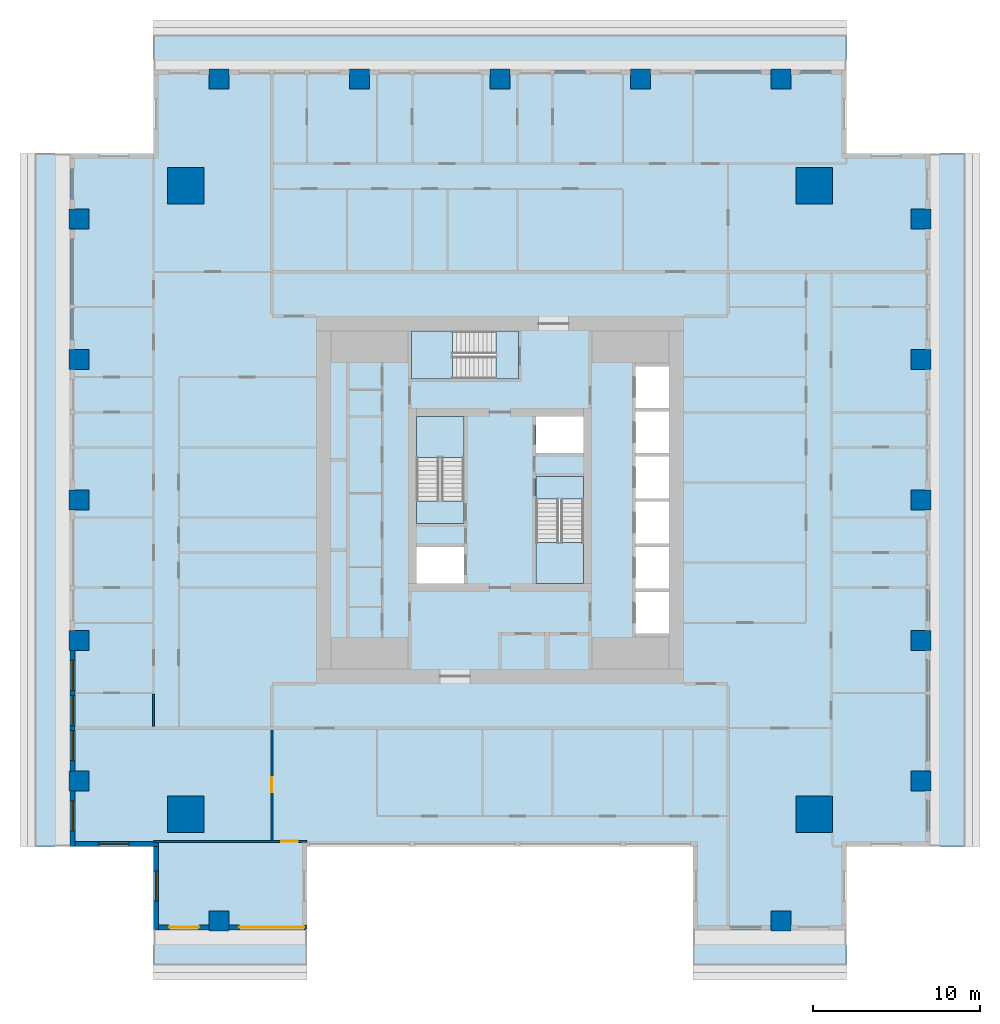
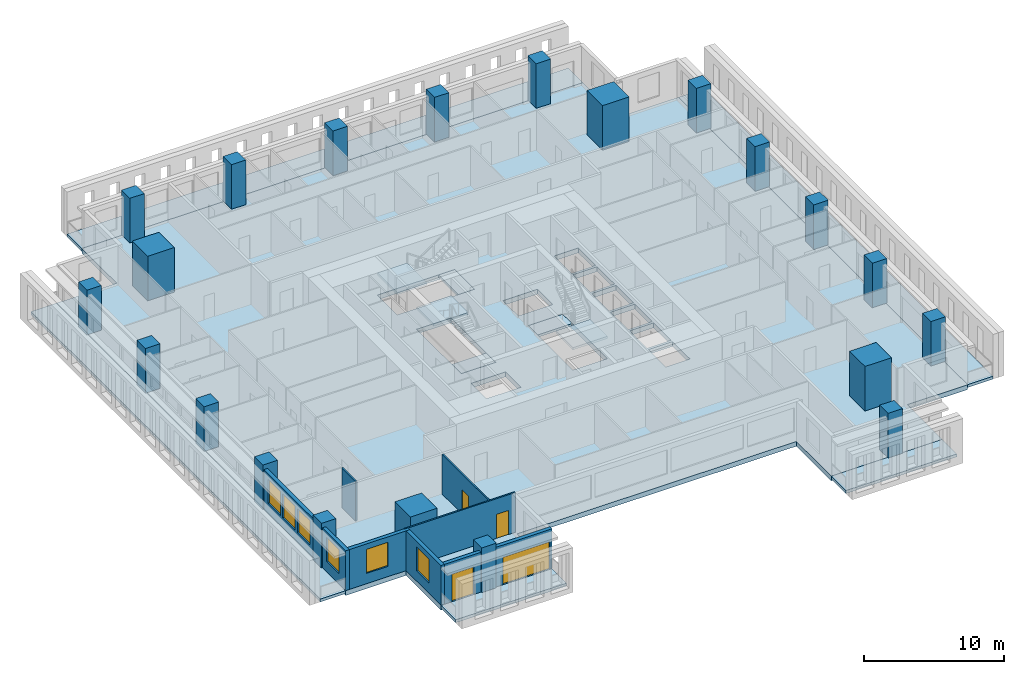
# One storey, part 1 of 14: 21 columns, 12 slabs, 9 walls, 6 windows, 4 doors, 10 openings, 3 elements without a shape of their own.
"""IFC4 building model written with IfcOpenShell, lengths in metres."""

from ifc_helpers import new_model, si_unit, direction, frame, frame_2d, origin, origin_2d, place, context, subcontext, project, spatial, polyline, rectangle, outline, extrude, material, layer, layer_set, material_profile, profile_set, type_object, element, fill, aggregate, save


model = new_model("IFC4")

# Units and contexts
model_context = context("Model", 3, precision=1e-05, world=origin(), true_north=direction((0.0, 1.0)))
body_context = subcontext(model_context, "Body", "Model", "MODEL_VIEW")
ifc_project = project(units=[si_unit("LENGTHUNIT", "METRE"), si_unit("AREAUNIT", "SQUARE_METRE"), si_unit("VOLUMEUNIT", "CUBIC_METRE"), si_unit("PLANEANGLEUNIT", "RADIAN"), si_unit("MASSUNIT", "GRAM", prefix="KILO")], contexts=[model_context])

# Site, building, storey
site_placement = place(None, origin())
site = spatial("IfcSite", under=ifc_project, at=site_placement, CompositionType="ELEMENT")
building_placement = place(site_placement, origin())
building = spatial("IfcBuilding", under=site, at=building_placement, Name="Khepri Terraces", CompositionType="ELEMENT")
storey_placement = place(building_placement, frame((0.0, 0.0, 275.699951171875)))
storey = spatial("IfcBuildingStorey", under=building, at=storey_placement, Name="L66", CompositionType="ELEMENT", Elevation=275.699951171875)

# Columns
ifc_material_1 = material(Name="Concrete C40/50", Category="concrete")
ifc_material_profile_1 = material_profile(ifc_material_1, rectangle(XDim=2.199951171875, YDim=2.199951171875, at=origin_2d()), Name="Concrete C40/50", Category="concrete")
ifc_profile_set_1 = profile_set([ifc_material_profile_1], Name="Concrete C40/50")
column_type_1 = type_object("IfcColumnType", Name="Mega column RC 2200x2200 C40/50", PredefinedType="COLUMN", material=ifc_profile_set_1)
for number, where, z_axis, x_axis, name in (
    (1, (18.800048828125, 18.800048828125, 0.0), (0.0, 0.0, 1.0), (1.0, 0.0, 0.0), "Mega column MEN L66"),
    (2, (18.800048828125, -18.800048828125, 0.0), (0.0, 0.0, 1.0), (1.0, 0.0, 0.0), "Mega column MES L66"),
    (3, (-18.800048828125, 18.800048828125, 0.0), (0.0, 0.0, 1.0), (1.0, 0.0, 0.0), "Mega column MWN L66"),
    (4, (-18.800048828125, -18.800048828125, 0.0), (0.0, 0.0, 1.0), (1.0, 0.0, 0.0), "Mega column MWS L66"),
):
    element("IfcColumn", number, at=place(storey_placement, frame(where, z_axis=z_axis, x_axis=x_axis)), inside=storey, type_object=column_type_1, Name=name, PredefinedType="COLUMN", context=body_context, shape_type="SweptSolid", body=[
        extrude(rectangle(XDim=2.199951171875, YDim=2.199951171875, at=origin_2d()), origin(), (0.0, 0.0, 1.0), 3.900146484375),
    ])
ifc_material_profile_2 = material_profile(ifc_material_1, rectangle(XDim=1.199951171875, YDim=1.199951171875, at=origin_2d()), Name="Concrete C40/50", Category="concrete")
ifc_profile_set_2 = profile_set([ifc_material_profile_2], Name="Concrete C40/50")
column_type_2 = type_object("IfcColumnType", Name="Tower column RC 1200x1200 C40/50", PredefinedType="COLUMN", material=ifc_profile_set_2)
for number, where, z_axis, x_axis, name in (
    (5, (25.199951171875, 0.0, 0.0), (0.0, 0.0, 1.0), (1.0, 0.0, 0.0), "Perimeter column PE+000b L66"),
    (6, (25.199951171875, 8.39990234375, 0.0), (0.0, 0.0, 1.0), (1.0, 0.0, 0.0), "Perimeter column PE+084b L66"),
    (7, (25.199951171875, 16.800048828125, 0.0), (0.0, 0.0, 1.0), (1.0, 0.0, 0.0), "Perimeter column PE+168a L66"),
    (8, (25.199951171875, -8.39990234375, 0.0), (0.0, 0.0, 1.0), (1.0, 0.0, 0.0), "Perimeter column PE-084b L66"),
    (9, (25.199951171875, -16.800048828125, 0.0), (0.0, 0.0, 1.0), (1.0, 0.0, 0.0), "Perimeter column PE-168a L66"),
    (10, (0.0, 25.199951171875, 0.0), (0.0, 0.0, 1.0), (1.0, 0.0, 0.0), "Perimeter column PN+000b L66"),
    (11, (-8.39990234375, 25.199951171875, 0.0), (0.0, 0.0, 1.0), (1.0, 0.0, 0.0), "Perimeter column PN+084b L66"),
    (12, (-16.800048828125, 25.199951171875, 0.0), (0.0, 0.0, 1.0), (1.0, 0.0, 0.0), "Perimeter column PN+168a L66"),
    (13, (8.39990234375, 25.199951171875, 0.0), (0.0, 0.0, 1.0), (1.0, 0.0, 0.0), "Perimeter column PN-084b L66"),
    (14, (16.800048828125, 25.199951171875, 0.0), (0.0, 0.0, 1.0), (1.0, 0.0, 0.0), "Perimeter column PN-168a L66"),
    (15, (16.800048828125, -25.199951171875, 0.0), (0.0, 0.0, 1.0), (1.0, 0.0, 0.0), "Perimeter column PS+168a L66"),
    (16, (-16.800048828125, -25.199951171875, 0.0), (0.0, 0.0, 1.0), (1.0, 0.0, 0.0), "Perimeter column PS-168a L66"),
    (17, (-25.199951171875, 0.0, 0.0), (0.0, 0.0, 1.0), (1.0, 0.0, 0.0), "Perimeter column PW+000b L66"),
    (18, (-25.199951171875, -8.39990234375, 0.0), (0.0, 0.0, 1.0), (1.0, 0.0, 0.0), "Perimeter column PW+084b L66"),
    (19, (-25.199951171875, -16.800048828125, 0.0), (0.0, 0.0, 1.0), (1.0, 0.0, 0.0), "Perimeter column PW+168a L66"),
    (20, (-25.199951171875, 8.39990234375, 0.0), (0.0, 0.0, 1.0), (1.0, 0.0, 0.0), "Perimeter column PW-084b L66"),
    (21, (-25.199951171875, 16.800048828125, 0.0), (0.0, 0.0, 1.0), (1.0, 0.0, 0.0), "Perimeter column PW-168a L66"),
):
    element("IfcColumn", number, at=place(storey_placement, frame(where, z_axis=z_axis, x_axis=x_axis)), inside=storey, type_object=column_type_2, Name=name, PredefinedType="COLUMN", context=body_context, shape_type="SweptSolid", body=[
        extrude(rectangle(XDim=1.199951171875, YDim=1.199951171875, at=origin_2d()), origin(), (0.0, 0.0, 1.0), 3.900146484375),
    ])

# Slabs
ifc_layer_1 = layer(ifc_material_1, 0.419921875, Name="Concrete C40/50", Category="concrete")
ifc_layer_set_1 = layer_set([ifc_layer_1], Name="Concrete C40/50")
slab_type_1 = type_object("IfcSlabType", Name="Flat plate 420", PredefinedType="FLOOR", material=ifc_layer_set_1)
slab_1_placement = place(storey_placement, frame((0.0, 0.0, -0.419921875)))
element("IfcSlab", 22, at=slab_1_placement, inside=storey, type_object=slab_type_1, Name="Floor slab F01 L66", PredefinedType="FLOOR", context=body_context, shape_type="SweptSolid", body=[
    extrude(outline(polyline([(-20.719970703125, 25.719970703125), (20.719970703125, 25.719970703125), (20.719970703125, 20.719970703125), (25.719970703125, 20.719970703125), (25.719970703125, -20.719970703125), (20.719970703125, -20.719970703125), (20.719970703125, -25.719970703125), (11.550048828125, -25.719970703125), (11.550048828125, -20.719970703125), (-11.550048828125, -20.719970703125), (-11.550048828125, -25.719970703125), (-20.719970703125, -25.719970703125), (-20.719970703125, -20.719970703125), (-25.719970703125, -20.719970703125), (-25.719970703125, 20.719970703125), (-20.719970703125, 20.719970703125), (-20.719970703125, 25.719970703125)]), holes=[polyline([(2.14990234375, 2.800048828125), (5.0, 2.800048828125), (5.0, 5.0), (2.14990234375, 5.0), (2.14990234375, 2.800048828125)]), polyline([(-5.0, -2.800048828125), (-5.0, -5.0), (-2.14990234375, -5.0), (-2.14990234375, -2.800048828125), (-5.0, -2.800048828125)]), polyline([(10.10009765625, -5.5), (8.10009765625, -5.5), (8.10009765625, -8.0), (10.10009765625, -8.0), (10.10009765625, -5.5)]), polyline([(10.10009765625, -5.300048828125), (10.10009765625, -2.800048828125), (8.10009765625, -2.800048828125), (8.10009765625, -5.300048828125), (10.10009765625, -5.300048828125)]), polyline([(8.10009765625, -2.60009765625), (10.10009765625, -2.60009765625), (10.10009765625, -0.10009765625), (8.10009765625, -0.10009765625), (8.10009765625, -2.60009765625)]), polyline([(8.10009765625, 2.60009765625), (8.10009765625, 0.10009765625), (10.10009765625, 0.10009765625), (10.10009765625, 2.60009765625), (8.10009765625, 2.60009765625)]), polyline([(10.10009765625, 5.300048828125), (8.10009765625, 5.300048828125), (8.10009765625, 2.800048828125), (10.10009765625, 2.800048828125), (10.10009765625, 5.300048828125)]), polyline([(10.10009765625, 5.5), (10.10009765625, 8.0), (8.10009765625, 8.0), (8.10009765625, 5.5), (10.10009765625, 5.5)]), polyline([(-5.0, -1.39990234375), (-2.14990234375, -1.39990234375), (-2.14990234375, 5.0), (-5.0, 5.0), (-5.0, -1.39990234375)]), polyline([(5.0, -5.0), (5.0, 1.39990234375), (2.14990234375, 1.39990234375), (2.14990234375, -5.0), (5.0, -5.0)]), polyline([(-5.300048828125, 10.10009765625), (-5.300048828125, 7.25), (1.10009765625, 7.25), (1.10009765625, 10.10009765625), (-5.300048828125, 10.10009765625)])]), origin(), (0.0, 0.0, 1.0), 0.419921875),
])
ifc_material_2 = material(Name="Precast concrete C50/60 warm stone", Category="masonry")
ifc_layer_2 = layer(ifc_material_2, 0.25, Name="Precast concrete C50/60 warm stone", Category="masonry")
ifc_layer_set_2 = layer_set([ifc_layer_2], Name="Precast concrete C50/60 warm stone")
slab_type_2 = type_object("IfcSlabType", Name="SLB-BALCONY-250", PredefinedType="FLOOR", material=ifc_layer_set_2)
slab_2_placement = place(storey_placement, frame((0.0, 0.0, -0.25)))
element("IfcSlab", 23, at=slab_2_placement, inside=storey, type_object=slab_type_2, Name="Balcony slab L66 S", PredefinedType="FLOOR", context=body_context, shape_type="SweptSolid", body=[
    extrude(outline(polyline([(-17.39990234375, -25.719970703125), (-20.719970703125, -25.719970703125), (-20.719970703125, -27.820068359375), (-11.550048828125, -27.820068359375), (-11.550048828125, -25.719970703125), (-16.199951171875, -25.719970703125), (-16.199951171875, -25.800048828125), (-17.39990234375, -25.800048828125), (-17.39990234375, -25.719970703125)])), origin(), (0.0, 0.0, 1.0), 0.25),
])
slab_3_placement = place(storey_placement, frame((0.0, 0.0, -0.25)))
element("IfcSlab", 24, at=slab_3_placement, inside=storey, type_object=slab_type_2, Name="Balcony slab L66 S", PredefinedType="FLOOR", context=body_context, shape_type="SweptSolid", body=[
    extrude(outline(polyline([(16.199951171875, -25.719970703125), (11.550048828125, -25.719970703125), (11.550048828125, -27.820068359375), (20.719970703125, -27.820068359375), (20.719970703125, -25.719970703125), (17.39990234375, -25.719970703125), (17.39990234375, -25.800048828125), (16.199951171875, -25.800048828125), (16.199951171875, -25.719970703125)])), origin(), (0.0, 0.0, 1.0), 0.25),
])
slab_4_placement = place(storey_placement, frame((0.0, 0.0, -0.25)))
element("IfcSlab", 25, at=slab_4_placement, inside=storey, type_object=slab_type_2, Name="Balcony slab L66 E", PredefinedType="FLOOR", context=body_context, shape_type="SweptSolid", body=[
    extrude(outline(polyline([(25.719970703125, -17.39990234375), (25.719970703125, -20.719970703125), (27.820068359375, -20.719970703125), (27.820068359375, 20.719970703125), (25.719970703125, 20.719970703125), (25.719970703125, 17.39990234375), (25.800048828125, 17.39990234375), (25.800048828125, 16.199951171875), (25.719970703125, 16.199951171875), (25.719970703125, 9.0), (25.800048828125, 9.0), (25.800048828125, 7.800048828125), (25.719970703125, 7.800048828125), (25.719970703125, 0.60009765625), (25.800048828125, 0.60009765625), (25.800048828125, -0.60009765625), (25.719970703125, -0.60009765625), (25.719970703125, -7.800048828125), (25.800048828125, -7.800048828125), (25.800048828125, -9.0), (25.719970703125, -9.0), (25.719970703125, -16.199951171875), (25.800048828125, -16.199951171875), (25.800048828125, -17.39990234375), (25.719970703125, -17.39990234375)])), origin(), (0.0, 0.0, 1.0), 0.25),
])
slab_5_placement = place(storey_placement, frame((0.0, 0.0, -0.25)))
element("IfcSlab", 26, at=slab_5_placement, inside=storey, type_object=slab_type_2, Name="Balcony slab L66 N", PredefinedType="FLOOR", context=body_context, shape_type="SweptSolid", body=[
    extrude(outline(polyline([(17.39990234375, 25.719970703125), (20.719970703125, 25.719970703125), (20.719970703125, 27.820068359375), (-20.719970703125, 27.820068359375), (-20.719970703125, 25.719970703125), (-17.39990234375, 25.719970703125), (-17.39990234375, 25.800048828125), (-16.199951171875, 25.800048828125), (-16.199951171875, 25.719970703125), (-9.0, 25.719970703125), (-9.0, 25.800048828125), (-7.800048828125, 25.800048828125), (-7.800048828125, 25.719970703125), (-0.60009765625, 25.719970703125), (-0.60009765625, 25.800048828125), (0.60009765625, 25.800048828125), (0.60009765625, 25.719970703125), (7.800048828125, 25.719970703125), (7.800048828125, 25.800048828125), (9.0, 25.800048828125), (9.0, 25.719970703125), (16.199951171875, 25.719970703125), (16.199951171875, 25.800048828125), (17.39990234375, 25.800048828125), (17.39990234375, 25.719970703125)])), origin(), (0.0, 0.0, 1.0), 0.25),
])
slab_6_placement = place(storey_placement, frame((0.0, 0.0, -0.25)))
element("IfcSlab", 27, at=slab_6_placement, inside=storey, type_object=slab_type_2, Name="Balcony slab L66 W", PredefinedType="FLOOR", context=body_context, shape_type="SweptSolid", body=[
    extrude(outline(polyline([(-25.719970703125, 17.39990234375), (-25.719970703125, 20.719970703125), (-27.820068359375, 20.719970703125), (-27.820068359375, -20.719970703125), (-25.719970703125, -20.719970703125), (-25.719970703125, -17.39990234375), (-25.800048828125, -17.39990234375), (-25.800048828125, -16.199951171875), (-25.719970703125, -16.199951171875), (-25.719970703125, -9.0), (-25.800048828125, -9.0), (-25.800048828125, -7.800048828125), (-25.719970703125, -7.800048828125), (-25.719970703125, -0.60009765625), (-25.800048828125, -0.60009765625), (-25.800048828125, 0.60009765625), (-25.719970703125, 0.60009765625), (-25.719970703125, 7.800048828125), (-25.800048828125, 7.800048828125), (-25.800048828125, 9.0), (-25.719970703125, 9.0), (-25.719970703125, 16.199951171875), (-25.800048828125, 16.199951171875), (-25.800048828125, 17.39990234375), (-25.719970703125, 17.39990234375)])), origin(), (0.0, 0.0, 1.0), 0.25),
])

# Stair, slabs
stair_type = type_object("IfcStairType", Name="STAIR-RC-22R", PredefinedType="HALF_TURN_STAIR", material=ifc_material_1)
stair_1_placement = place(storey_placement, origin())
stair_1 = element("IfcStair", 28, at=stair_1_placement, inside=storey, type_object=stair_type, Name="L66 Exit Stair ST-1", PredefinedType="HALF_TURN_STAIR")
ifc_layer_3 = layer(ifc_material_1, 0.199951171875, Name="Concrete C40/50", Category="concrete")
ifc_layer_set_3 = layer_set([ifc_layer_3], Name="Concrete C40/50")
slab_type_3 = type_object("IfcSlabType", Name="SLB-CORE-LANDING", PredefinedType="LANDING", material=ifc_layer_set_3)
slab_7_placement = place(storey_placement, frame((0.0, 0.0, -0.199951171875)))
slab_7 = element("IfcSlab", 29, at=slab_7_placement, type_object=slab_type_3, Name="ST-1 landing 1", PredefinedType="LANDING", context=body_context, shape_type="SweptSolid", body=[
    extrude(outline(polyline([(-2.14990234375, -1.39990234375), (-2.14990234375, -0.050048828125), (-5.0, -0.050048828125), (-5.0, -1.39990234375), (-2.14990234375, -1.39990234375)])), origin(), (0.0, 0.0, 1.0), 0.199951171875),
])
slab_8_placement = place(storey_placement, frame((0.0, 0.0, 1.75)))
slab_8 = element("IfcSlab", 30, at=slab_8_placement, type_object=slab_type_3, Name="ST-1 landing 2", PredefinedType="LANDING", context=body_context, shape_type="SweptSolid", body=[
    extrude(outline(polyline([(-2.14990234375, 2.550048828125), (-2.14990234375, 5.0), (-5.0, 5.0), (-5.0, 2.550048828125), (-2.14990234375, 2.550048828125)])), origin(), (0.0, 0.0, 1.0), 0.199951171875),
])
aggregate(stair_1, [slab_7, slab_8])

stair_2_placement = place(storey_placement, origin())
stair_2 = element("IfcStair", 31, at=stair_2_placement, inside=storey, type_object=stair_type, Name="L66 Exit Stair ST-2", PredefinedType="HALF_TURN_STAIR")
slab_9_placement = place(storey_placement, frame((0.0, 0.0, -0.199951171875)))
slab_9 = element("IfcSlab", 32, at=slab_9_placement, type_object=slab_type_3, Name="ST-2 landing 1", PredefinedType="LANDING", context=body_context, shape_type="SweptSolid", body=[
    extrude(outline(polyline([(2.14990234375, 1.39990234375), (2.14990234375, 0.050048828125), (5.0, 0.050048828125), (5.0, 1.39990234375), (2.14990234375, 1.39990234375)])), origin(), (0.0, 0.0, 1.0), 0.199951171875),
])
slab_10_placement = place(storey_placement, frame((0.0, 0.0, 1.75)))
slab_10 = element("IfcSlab", 33, at=slab_10_placement, type_object=slab_type_3, Name="ST-2 landing 2", PredefinedType="LANDING", context=body_context, shape_type="SweptSolid", body=[
    extrude(outline(polyline([(2.14990234375, -2.550048828125), (2.14990234375, -5.0), (5.0, -5.0), (5.0, -2.550048828125), (2.14990234375, -2.550048828125)])), origin(), (0.0, 0.0, 1.0), 0.199951171875),
])
aggregate(stair_2, [slab_9, slab_10])

stair_3_placement = place(storey_placement, origin())
stair_3 = element("IfcStair", 34, at=stair_3_placement, inside=storey, type_object=stair_type, Name="L66 Exit Stair ST-3", PredefinedType="HALF_TURN_STAIR")
slab_11_placement = place(storey_placement, frame((0.0, 0.0, -0.199951171875)))
slab_11 = element("IfcSlab", 35, at=slab_11_placement, type_object=slab_type_3, Name="ST-3 landing 1", PredefinedType="LANDING", context=body_context, shape_type="SweptSolid", body=[
    extrude(outline(polyline([(1.10009765625, 10.10009765625), (-0.25, 10.10009765625), (-0.25, 7.25), (1.10009765625, 7.25), (1.10009765625, 10.10009765625)])), origin(), (0.0, 0.0, 1.0), 0.199951171875),
])
slab_12_placement = place(storey_placement, frame((0.0, 0.0, 1.75)))
slab_12 = element("IfcSlab", 36, at=slab_12_placement, type_object=slab_type_3, Name="ST-3 landing 2", PredefinedType="LANDING", context=body_context, shape_type="SweptSolid", body=[
    extrude(outline(polyline([(-2.85009765625, 10.10009765625), (-5.300048828125, 10.10009765625), (-5.300048828125, 7.25), (-2.85009765625, 7.25), (-2.85009765625, 10.10009765625)])), origin(), (0.0, 0.0, 1.0), 0.199951171875),
])
aggregate(stair_3, [slab_11, slab_12])

# Wall, openings, windows
ifc_layer_4 = layer(ifc_material_2, 0.300048828125, Name="Precast concrete C50/60 warm stone", Category="masonry")
ifc_layer_set_4 = layer_set([ifc_layer_4], Name="Precast concrete C50/60 warm stone")
wall_type_1 = type_object("IfcWallType", Name="WL-EXT-PRECAST-300", PredefinedType="STANDARD", material=ifc_layer_set_4)
wall_1_placement = place(storey_placement, frame((-25.570068359375, -9.0, 0.0), z_axis=(0.0, 0.0, 1.0), x_axis=(0.0, -1.0, 0.0)))
wall_1 = element("IfcWall", 37, at=wall_1_placement, inside=storey, type_object=wall_type_1, Name="External wall L66 W", PredefinedType="STANDARD", context=body_context, shape_type="SweptSolid", body=[
    extrude(rectangle(XDim=7.199951171875, YDim=0.300048828125, at=frame_2d((3.60009765625, 0.0))), origin(), (0.0, 0.0, 1.0), 3.47998046875),
])
opening_1_placement = place(wall_1_placement, frame((0.60009765625, 0.0, 0.89990234375)))
opening_1 = element("IfcOpeningElement", 38, at=opening_1_placement, cuts=wall_1, Name="Opening W1", PredefinedType="OPENING", context=body_context, shape_type="SweptSolid", body=[
    extrude(rectangle(XDim=1.800048828125, YDim=2.10009765625, at=frame_2d((0.89990234375, 1.050048828125))), frame((0.0, 0.16015625, 0.0), z_axis=(0.0, -1.0, 0.0), x_axis=(1.0, 0.0, 0.0)), (0.0, 0.0, 1.0), 0.320068359375),
])
opening_2_placement = place(wall_1_placement, frame((2.699951171875, 0.0, 0.89990234375)))
opening_2 = element("IfcOpeningElement", 39, at=opening_2_placement, cuts=wall_1, Name="Opening W1", PredefinedType="OPENING", context=body_context, shape_type="SweptSolid", body=[
    extrude(rectangle(XDim=1.800048828125, YDim=2.10009765625, at=frame_2d((0.89990234375, 1.050048828125))), frame((0.0, 0.16015625, 0.0), z_axis=(0.0, -1.0, 0.0), x_axis=(1.0, 0.0, 0.0)), (0.0, 0.0, 1.0), 0.320068359375),
])
opening_3_placement = place(wall_1_placement, frame((4.800048828125, 0.0, 0.89990234375)))
opening_3 = element("IfcOpeningElement", 40, at=opening_3_placement, cuts=wall_1, Name="Opening W1", PredefinedType="OPENING", context=body_context, shape_type="SweptSolid", body=[
    extrude(rectangle(XDim=1.800048828125, YDim=2.10009765625, at=frame_2d((0.89990234375, 1.050048828125))), frame((0.0, 0.16015625, 0.0), z_axis=(0.0, -1.0, 0.0), x_axis=(1.0, 0.0, 0.0)), (0.0, 0.0, 1.0), 0.320068359375),
])
ifc_material_3 = material(Name="Clear glass", Category="glass")
window_type = type_object("IfcWindowType", Name="WIN-RES-1800x2100", PartitioningType="SINGLE_PANEL", PredefinedType="WINDOW", material=ifc_material_3)
window_1_placement = place(opening_1_placement, origin())
window_1 = element("IfcWindow", 41, at=window_1_placement, inside=storey, type_object=window_type, Name="Window L66 W", OverallHeight=2.10009765625, OverallWidth=1.800048828125, PartitioningType="SINGLE_PANEL", PredefinedType="WINDOW", context=body_context, shape_type="SweptSolid", body=[
    extrude(rectangle(XDim=1.800048828125, YDim=2.10009765625, at=frame_2d((0.89990234375, 1.050048828125))), frame((0.0, 0.030029296875, 0.0), z_axis=(0.0, -1.0, 0.0), x_axis=(1.0, 0.0, 0.0)), (0.0, 0.0, 1.0), 0.06005859375),
])
fill(opening_1, window_1)
window_2_placement = place(opening_2_placement, origin())
window_2 = element("IfcWindow", 42, at=window_2_placement, inside=storey, type_object=window_type, Name="Window L66 W", OverallHeight=2.10009765625, OverallWidth=1.800048828125, PartitioningType="SINGLE_PANEL", PredefinedType="WINDOW", context=body_context, shape_type="SweptSolid", body=[
    extrude(rectangle(XDim=1.800048828125, YDim=2.10009765625, at=frame_2d((0.89990234375, 1.050048828125))), frame((0.0, 0.030029296875, 0.0), z_axis=(0.0, -1.0, 0.0), x_axis=(1.0, 0.0, 0.0)), (0.0, 0.0, 1.0), 0.06005859375),
])
fill(opening_2, window_2)
window_3_placement = place(opening_3_placement, origin())
window_3 = element("IfcWindow", 43, at=window_3_placement, inside=storey, type_object=window_type, Name="Window L66 W", OverallHeight=2.10009765625, OverallWidth=1.800048828125, PartitioningType="SINGLE_PANEL", PredefinedType="WINDOW", context=body_context, shape_type="SweptSolid", body=[
    extrude(rectangle(XDim=1.800048828125, YDim=2.10009765625, at=frame_2d((0.89990234375, 1.050048828125))), frame((0.0, 0.030029296875, 0.0), z_axis=(0.0, -1.0, 0.0), x_axis=(1.0, 0.0, 0.0)), (0.0, 0.0, 1.0), 0.06005859375),
])
fill(opening_3, window_3)

# Wall, opening, window
wall_2_placement = place(storey_placement, frame((-25.570068359375, -17.39990234375, 0.0), z_axis=(0.0, 0.0, 1.0), x_axis=(0.0, -1.0, 0.0)))
wall_2 = element("IfcWall", 44, at=wall_2_placement, inside=storey, type_object=wall_type_1, Name="External wall L66 W", PredefinedType="STANDARD", context=body_context, shape_type="SweptSolid", body=[
    extrude(rectangle(XDim=3.320068359375, YDim=0.300048828125, at=frame_2d((1.66015625, 0.0))), origin(), (0.0, 0.0, 1.0), 3.47998046875),
])
opening_4_placement = place(wall_2_placement, frame((0.60009765625, 0.0, 0.89990234375)))
opening_4 = element("IfcOpeningElement", 45, at=opening_4_placement, cuts=wall_2, Name="Opening W1", PredefinedType="OPENING", context=body_context, shape_type="SweptSolid", body=[
    extrude(rectangle(XDim=1.800048828125, YDim=2.10009765625, at=frame_2d((0.89990234375, 1.050048828125))), frame((0.0, 0.16015625, 0.0), z_axis=(0.0, -1.0, 0.0), x_axis=(1.0, 0.0, 0.0)), (0.0, 0.0, 1.0), 0.320068359375),
])
window_4_placement = place(opening_4_placement, origin())
window_4 = element("IfcWindow", 46, at=window_4_placement, inside=storey, type_object=window_type, Name="Window L66 W", OverallHeight=2.10009765625, OverallWidth=1.800048828125, PartitioningType="SINGLE_PANEL", PredefinedType="WINDOW", context=body_context, shape_type="SweptSolid", body=[
    extrude(rectangle(XDim=1.800048828125, YDim=2.10009765625, at=frame_2d((0.89990234375, 1.050048828125))), frame((0.0, 0.030029296875, 0.0), z_axis=(0.0, -1.0, 0.0), x_axis=(1.0, 0.0, 0.0)), (0.0, 0.0, 1.0), 0.06005859375),
])
fill(opening_4, window_4)

wall_3_placement = place(storey_placement, frame((-25.419921875, -20.570068359375, 0.0), z_axis=(0.0, 0.0, 1.0), x_axis=(1.0, 0.0, 0.0)))
wall_3 = element("IfcWall", 47, at=wall_3_placement, inside=storey, type_object=wall_type_1, Name="External wall L66 S", PredefinedType="STANDARD", context=body_context, shape_type="SweptSolid", body=[
    extrude(rectangle(XDim=5.0, YDim=0.300048828125, at=frame_2d((2.5, 0.0))), origin(), (0.0, 0.0, 1.0), 3.47998046875),
])
opening_5_placement = place(wall_3_placement, frame((1.419921875, 0.0, 0.89990234375)))
opening_5 = element("IfcOpeningElement", 48, at=opening_5_placement, cuts=wall_3, Name="Opening W1", PredefinedType="OPENING", context=body_context, shape_type="SweptSolid", body=[
    extrude(rectangle(XDim=1.800048828125, YDim=2.10009765625, at=frame_2d((0.89990234375, 1.050048828125))), frame((0.0, 0.16015625, 0.0), z_axis=(0.0, -1.0, 0.0), x_axis=(1.0, 0.0, 0.0)), (0.0, 0.0, 1.0), 0.320068359375),
])
window_5_placement = place(opening_5_placement, origin())
window_5 = element("IfcWindow", 49, at=window_5_placement, inside=storey, type_object=window_type, Name="Window L66 S", OverallHeight=2.10009765625, OverallWidth=1.800048828125, PartitioningType="SINGLE_PANEL", PredefinedType="WINDOW", context=body_context, shape_type="SweptSolid", body=[
    extrude(rectangle(XDim=1.800048828125, YDim=2.10009765625, at=frame_2d((0.89990234375, 1.050048828125))), frame((0.0, 0.030029296875, 0.0), z_axis=(0.0, -1.0, 0.0), x_axis=(1.0, 0.0, 0.0)), (0.0, 0.0, 1.0), 0.06005859375),
])
fill(opening_5, window_5)

wall_4_placement = place(storey_placement, frame((-20.570068359375, -20.719970703125, 0.0), z_axis=(0.0, 0.0, 1.0), x_axis=(0.0, -1.0, 0.0)))
wall_4 = element("IfcWall", 50, at=wall_4_placement, inside=storey, type_object=wall_type_1, Name="External wall L66 W", PredefinedType="STANDARD", context=body_context, shape_type="SweptSolid", body=[
    extrude(rectangle(XDim=5.0, YDim=0.300048828125, at=frame_2d((2.5, 0.0))), origin(), (0.0, 0.0, 1.0), 3.47998046875),
])
opening_6_placement = place(wall_4_placement, frame((1.47998046875, 0.0, 0.89990234375)))
opening_6 = element("IfcOpeningElement", 51, at=opening_6_placement, cuts=wall_4, Name="Opening W1", PredefinedType="OPENING", context=body_context, shape_type="SweptSolid", body=[
    extrude(rectangle(XDim=1.800048828125, YDim=2.10009765625, at=frame_2d((0.89990234375, 1.050048828125))), frame((0.0, 0.16015625, 0.0), z_axis=(0.0, -1.0, 0.0), x_axis=(1.0, 0.0, 0.0)), (0.0, 0.0, 1.0), 0.320068359375),
])
window_6_placement = place(opening_6_placement, origin())
window_6 = element("IfcWindow", 52, at=window_6_placement, inside=storey, type_object=window_type, Name="Window L66 W", OverallHeight=2.10009765625, OverallWidth=1.800048828125, PartitioningType="SINGLE_PANEL", PredefinedType="WINDOW", context=body_context, shape_type="SweptSolid", body=[
    extrude(rectangle(XDim=1.800048828125, YDim=2.10009765625, at=frame_2d((0.89990234375, 1.050048828125))), frame((0.0, 0.030029296875, 0.0), z_axis=(0.0, -1.0, 0.0), x_axis=(1.0, 0.0, 0.0)), (0.0, 0.0, 1.0), 0.06005859375),
])
fill(opening_6, window_6)

# Wall, opening, door
wall_5_placement = place(storey_placement, frame((-20.419921875, -25.570068359375, 0.0), z_axis=(0.0, 0.0, 1.0), x_axis=(1.0, 0.0, 0.0)))
wall_5 = element("IfcWall", 53, at=wall_5_placement, inside=storey, type_object=wall_type_1, Name="External wall L66 S", PredefinedType="STANDARD", context=body_context, shape_type="SweptSolid", body=[
    extrude(rectangle(XDim=3.02001953125, YDim=0.300048828125, at=frame_2d((1.510009765625, 0.0))), origin(), (0.0, 0.0, 1.0), 3.47998046875),
])
opening_7_placement = place(wall_5_placement, frame((0.6201171875, 0.0, 0.0)))
opening_7 = element("IfcOpeningElement", 54, at=opening_7_placement, cuts=wall_5, Name="Opening ED-L66-11", PredefinedType="OPENING", context=body_context, shape_type="SweptSolid", body=[
    extrude(rectangle(XDim=1.800048828125, YDim=2.39990234375, at=frame_2d((0.89990234375, 1.199951171875))), frame((0.0, 0.16015625, 0.0), z_axis=(0.0, -1.0, 0.0), x_axis=(1.0, 0.0, 0.0)), (0.0, 0.0, 1.0), 0.320068359375),
])
ifc_material_4 = material(Name="Anodised aluminium bronze glazed door", Category="aluminium")
door_type_1 = type_object("IfcDoorType", Name="DR-BAL-SLIDE-1800x2400", OperationType="NOTDEFINED", PredefinedType="DOOR", material=ifc_material_4)
door_1_placement = place(opening_7_placement, origin())
door_1 = element("IfcDoor", 55, at=door_1_placement, inside=storey, type_object=door_type_1, Name="Balcony door L66 S", OperationType="SLIDING_TO_RIGHT", OverallHeight=2.39990234375, OverallWidth=1.800048828125, PredefinedType="DOOR", context=body_context, shape_type="SweptSolid", body=[
    extrude(rectangle(XDim=1.800048828125, YDim=2.39990234375, at=frame_2d((0.89990234375, 1.199951171875))), frame((0.0, 0.02490234375, 0.0), z_axis=(0.0, -1.0, 0.0), x_axis=(1.0, 0.0, 0.0)), (0.0, 0.0, 1.0), 0.050048828125),
])
fill(opening_7, door_1)

wall_6_placement = place(storey_placement, frame((-16.199951171875, -25.570068359375, 0.0), z_axis=(0.0, 0.0, 1.0), x_axis=(1.0, 0.0, 0.0)))
wall_6 = element("IfcWall", 56, at=wall_6_placement, inside=storey, type_object=wall_type_1, Name="External wall L66 S", PredefinedType="STANDARD", context=body_context, shape_type="SweptSolid", body=[
    extrude(rectangle(XDim=4.64990234375, YDim=0.300048828125, at=frame_2d((2.324951171875, 0.0))), origin(), (0.0, 0.0, 1.0), 3.47998046875),
])
opening_8_placement = place(wall_6_placement, frame((0.60009765625, 0.0, 0.0)))
opening_8 = element("IfcOpeningElement", 57, at=opening_8_placement, cuts=wall_6, Name="Opening ED-L66-12", PredefinedType="OPENING", context=body_context, shape_type="SweptSolid", body=[
    extrude(rectangle(XDim=3.89990234375, YDim=2.39990234375, at=frame_2d((1.949951171875, 1.199951171875))), frame((0.0, 0.16015625, 0.0), z_axis=(0.0, -1.0, 0.0), x_axis=(1.0, 0.0, 0.0)), (0.0, 0.0, 1.0), 0.320068359375),
])
door_type_2 = type_object("IfcDoorType", Name="DR-BAL-SLIDE-3900x2400", OperationType="NOTDEFINED", PredefinedType="DOOR", material=ifc_material_4)
door_2_placement = place(opening_8_placement, origin())
door_2 = element("IfcDoor", 58, at=door_2_placement, inside=storey, type_object=door_type_2, Name="Balcony door L66 S", OperationType="SLIDING_TO_LEFT", OverallHeight=2.39990234375, OverallWidth=3.89990234375, PredefinedType="DOOR", context=body_context, shape_type="SweptSolid", body=[
    extrude(rectangle(XDim=3.89990234375, YDim=2.39990234375, at=frame_2d((1.949951171875, 1.199951171875))), frame((0.0, 0.02490234375, 0.0), z_axis=(0.0, -1.0, 0.0), x_axis=(1.0, 0.0, 0.0)), (0.0, 0.0, 1.0), 0.050048828125),
])
fill(opening_8, door_2)

ifc_material_5 = material(Name="Gypsum plasterboard partition")
ifc_layer_5 = layer(ifc_material_5, 0.1201171875, Name="Gypsum plasterboard partition")
ifc_layer_set_5 = layer_set([ifc_layer_5], Name="Gypsum plasterboard partition")
wall_type_2 = type_object("IfcWallType", Name="WL-PART-120", PredefinedType="PARTITIONING", material=ifc_layer_set_5)
wall_7_placement = place(storey_placement, frame((-20.718994140625, -20.419921875, 0.0), z_axis=(0.0, 0.0, 1.0), x_axis=(1.0, 0.0, 0.0)))
wall_7 = element("IfcWall", 59, at=wall_7_placement, inside=storey, type_object=wall_type_2, Name="Partition P-006 L66", PredefinedType="PARTITIONING", context=body_context, shape_type="SweptSolid", body=[
    extrude(rectangle(XDim=9.1689453125, YDim=0.1201171875, at=frame_2d((4.58447265625, 0.0))), origin(), (0.0, 0.0, 1.0), 3.47998046875),
])
opening_9_placement = place(wall_7_placement, frame((7.618896484375, 0.0, 0.0)))
opening_9 = element("IfcOpeningElement", 60, at=opening_9_placement, cuts=wall_7, Name="Opening D2", PredefinedType="OPENING", context=body_context, shape_type="SweptSolid", body=[
    extrude(rectangle(XDim=1.0, YDim=2.10009765625, at=frame_2d((0.5, 1.050048828125))), frame((0.0, 0.070068359375, 0.0), z_axis=(0.0, -1.0, 0.0), x_axis=(1.0, 0.0, 0.0)), (0.0, 0.0, 1.0), 0.14013671875),
])
ifc_material_6 = material(Name="Timber door leaf, living room door", Category="wood")
door_type_3 = type_object("IfcDoorType", Name="DR-INT-1000", OperationType="NOTDEFINED", PredefinedType="DOOR", material=ifc_material_6)
door_3_placement = place(opening_9_placement, frame((1.0, 0.0, 0.0), z_axis=(0.0, 0.0, 1.0), x_axis=(-1.0, 0.0, 0.0)))
door_3 = element("IfcDoor", 61, at=door_3_placement, inside=storey, type_object=door_type_3, Name="Door Living Room", OperationType="SINGLE_SWING_LEFT", OverallHeight=2.10009765625, OverallWidth=1.0, PredefinedType="DOOR", context=body_context, shape_type="SweptSolid", body=[
    extrude(rectangle(XDim=1.0, YDim=2.10009765625, at=frame_2d((0.5, 1.050048828125))), frame((0.0, 0.02490234375, 0.0), z_axis=(0.0, -1.0, 0.0), x_axis=(1.0, 0.0, 0.0)), (0.0, 0.0, 1.0), 0.050048828125),
])
fill(opening_9, door_3)

wall_8_placement = place(storey_placement, frame((-13.64990234375, -20.360107421875, 0.0), z_axis=(0.0, 0.0, 1.0), x_axis=(0.0, 1.0, 0.0)))
wall_8 = element("IfcWall", 62, at=wall_8_placement, inside=storey, type_object=wall_type_2, Name="Partition P-007 L66", PredefinedType="PARTITIONING", context=body_context, shape_type="SweptSolid", body=[
    extrude(rectangle(XDim=6.610107421875, YDim=0.1201171875, at=frame_2d((3.30517578125, 0.0))), origin(), (0.0, 0.0, 1.0), 3.47998046875),
])
opening_10_placement = place(wall_8_placement, frame((2.875, 0.0, 0.0)))
opening_10 = element("IfcOpeningElement", 63, at=opening_10_placement, cuts=wall_8, Name="Opening D3", PredefinedType="OPENING", context=body_context, shape_type="SweptSolid", body=[
    extrude(rectangle(XDim=0.89990234375, YDim=2.10009765625, at=frame_2d((0.449951171875, 1.050048828125))), frame((0.0, 0.070068359375, 0.0), z_axis=(0.0, -1.0, 0.0), x_axis=(1.0, 0.0, 0.0)), (0.0, 0.0, 1.0), 0.14013671875),
])
ifc_material_7 = material(Name="Timber door leaf", Category="wood")
door_type_4 = type_object("IfcDoorType", Name="DR-INT-900", OperationType="NOTDEFINED", PredefinedType="DOOR", material=ifc_material_7)
door_4_placement = place(opening_10_placement, origin())
door_4 = element("IfcDoor", 64, at=door_4_placement, inside=storey, type_object=door_type_4, Name="Door Home Gym", OperationType="SINGLE_SWING_RIGHT", OverallHeight=2.10009765625, OverallWidth=0.89990234375, PredefinedType="DOOR", context=body_context, shape_type="SweptSolid", body=[
    extrude(rectangle(XDim=0.89990234375, YDim=2.10009765625, at=frame_2d((0.449951171875, 1.050048828125))), frame((0.0, 0.02490234375, 0.0), z_axis=(0.0, -1.0, 0.0), x_axis=(1.0, 0.0, 0.0)), (0.0, 0.0, 1.0), 0.050048828125),
])
fill(opening_10, door_4)

# Wall
wall_9_placement = place(storey_placement, frame((-20.719970703125, -13.550048828125, 0.0), z_axis=(0.0, 0.0, 1.0), x_axis=(0.0, 1.0, 0.0)))
element("IfcWall", 65, at=wall_9_placement, inside=storey, type_object=wall_type_2, Name="Partition P-018 L66", PredefinedType="PARTITIONING", context=body_context, shape_type="SweptSolid", body=[
    extrude(rectangle(XDim=1.93994140625, YDim=0.1201171875, at=frame_2d((0.969970703125, 0.0))), origin(), (0.0, 0.0, 1.0), 3.47998046875),
])

save(model, "model.ifc")
